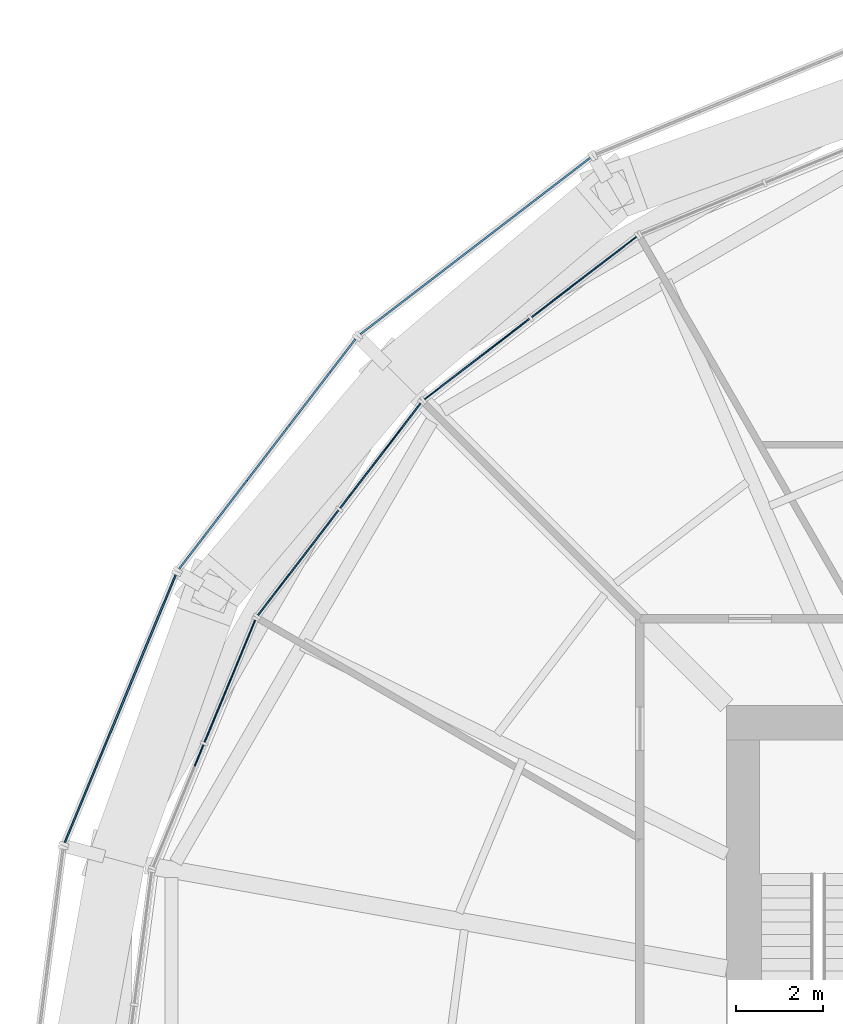
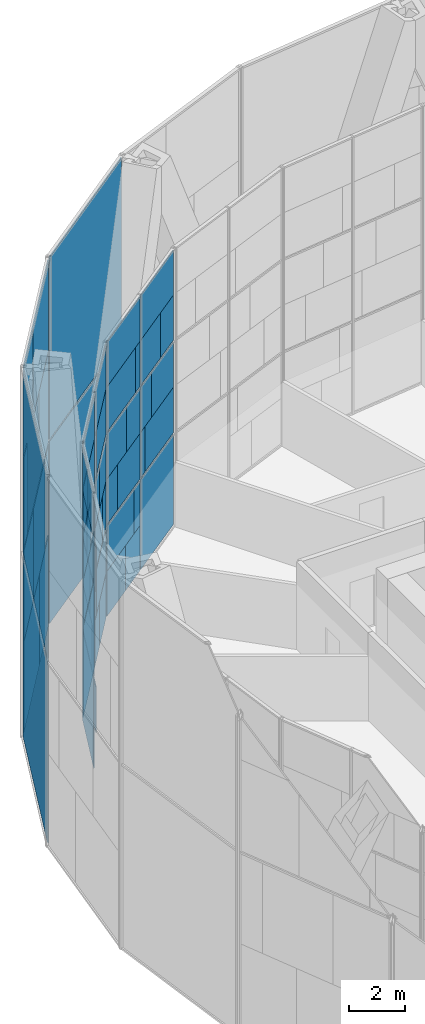
# One storey, part 19 of 26: 62 plates, 6 elements without a shape of their own.
"""IFC4 building model written with IfcOpenShell, lengths in metres."""

import ifcopenshell
import ifcopenshell.guid

model = None  # the IFC model being written
_history = None  # IfcOwnerHistory: only IFC2X3 demands one
_inside = {}  # id of a spatial element -> (the spatial element, [elements in it])
_under = {}  # id of a project, library or spatial element -> (it, [spatial elements below it])
_declared = {}  # id of a project -> (the project, [libraries it declares])
_typed = {}  # id of a type object -> (the type object, [elements of that type])
_made_of = {}  # id of a material, layer set ... -> (it, [elements and type objects made of it])


def new_model(schema):
    """Start an empty IFC model of exactly this schema.

    Asked for "IFC4X3", IfcOpenShell would pick the latest addendum, in which some entities
    have other attributes; the version numbers below select the first issue.
    IFC2X3 requires an IfcOwnerHistory on every rooted entity: one is made here for all.
    """
    global model, _history
    if schema == "IFC4X3":
        model = ifcopenshell.file(schema_version=(4, 3, 0, 0))
    else:
        model = ifcopenshell.file(schema=schema)
    _inside.clear()
    _under.clear()
    _declared.clear()
    _typed.clear()
    _made_of.clear()
    _history = None
    if model.schema == "IFC2X3":
        org = make("IfcOrganization", Name="unknown")
        user = make(
            "IfcPersonAndOrganization",
            ThePerson=make("IfcPerson", FamilyName="unknown"),
            TheOrganization=org,
        )
        app = make(
            "IfcApplication",
            ApplicationDeveloper=org,
            Version="unknown",
            ApplicationFullName="unknown",
            ApplicationIdentifier="unknown",
        )
        _history = make(
            "IfcOwnerHistory",
            OwningUser=user,
            OwningApplication=app,
            ChangeAction="ADDED",
            CreationDate=0,
        )
    return model


def make(cls, **values):
    """One entity of the class cls with the attributes given. An attribute that is None is left unset."""
    return model.create_entity(
        cls, **{name: value for name, value in values.items() if value is not None}
    )


def rooted(cls, **values):
    """An entity with a GlobalId (a new one), such as an element, a storey or a relation."""
    return make(cls, GlobalId=ifcopenshell.guid.new(), OwnerHistory=_history, **values)


def si_unit(unit_type, name, prefix=None):
    """IfcSIUnit, for example si_unit("LENGTHUNIT", "METRE", prefix="MILLI")."""
    return make("IfcSIUnit", UnitType=unit_type, Prefix=prefix, Name=name)


def assignment(units):
    """IfcUnitAssignment: the units of a project."""
    return None if units is None else make("IfcUnitAssignment", Units=units)


def point(xyz):
    """IfcCartesianPoint."""
    return None if xyz is None else make("IfcCartesianPoint", Coordinates=xyz)


def direction(xyz):
    """IfcDirection."""
    return None if xyz is None else make("IfcDirection", DirectionRatios=xyz)


def frame(location, z_axis=None, x_axis=None):
    """IfcAxis2Placement3D, a coordinate frame: its origin and axes. An axis left out is left unset."""
    return make(
        "IfcAxis2Placement3D",
        Location=point(location),
        Axis=direction(z_axis),
        RefDirection=direction(x_axis),
    )


def frame_2d(location, x_axis=None):
    """IfcAxis2Placement2D, a coordinate frame in the plane: its origin and x axis."""
    return make(
        "IfcAxis2Placement2D", Location=point(location), RefDirection=direction(x_axis)
    )


def origin():
    """The frame at (0, 0, 0) with its axes left unset."""
    return frame((0.0, 0.0, 0.0))


def origin_2d():
    """The frame at (0, 0) in the plane with its x axis left unset."""
    return frame_2d((0.0, 0.0))


def place(relative_to, where):
    """IfcLocalPlacement: puts the frame where relative to a parent placement (None: the world)."""
    return make(
        "IfcLocalPlacement", PlacementRelTo=relative_to, RelativePlacement=where
    )


def context(
    kind, dimensions, precision=None, world=None, true_north=None, identifier=None
):
    """IfcGeometricRepresentationContext, for example the 3D "Model" context."""
    return make(
        "IfcGeometricRepresentationContext",
        ContextIdentifier=identifier,
        ContextType=kind,
        CoordinateSpaceDimension=dimensions,
        Precision=precision,
        WorldCoordinateSystem=world,
        TrueNorth=true_north,
    )


def subcontext(parent, identifier, kind, view, scale=None):
    """IfcGeometricRepresentationSubContext, for example "Body" below "Model"."""
    return make(
        "IfcGeometricRepresentationSubContext",
        ContextIdentifier=identifier,
        ContextType=kind,
        ParentContext=parent,
        TargetScale=scale,
        TargetView=view,
    )


def project(units=None, contexts=None):
    """IfcProject with its units and contexts."""
    return rooted(
        "IfcProject",
        Name="project",
        RepresentationContexts=contexts,
        UnitsInContext=assignment(units),
    )


def spatial(cls, under=None, at=None, **own):
    """A site, building, storey or space (cls), placed at a placement, below another one or the project."""
    s = rooted(cls, ObjectPlacement=at, **own)
    if under is not None:
        _under.setdefault(under.id(), (under, []))[1].append(s)
    return s


def profile(cls, at=None, kind="AREA", **sizes):
    """A parametric profile (cls). Its sizes go by their IFC names, for example OverallWidth=200.0."""
    return make(cls, ProfileType=kind, Position=at, **sizes)


def rectangle(**sizes):
    """IfcRectangleProfileDef."""
    return profile("IfcRectangleProfileDef", **sizes)


def extrude(swept, where, along, depth):
    """IfcExtrudedAreaSolid: the profile swept, set in the frame where, extruded along a direction by depth."""
    return make(
        "IfcExtrudedAreaSolid",
        SweptArea=swept,
        Position=where,
        ExtrudedDirection=direction(along),
        Depth=depth,
    )


def shape(context_of_items, identifier, shape_type, items):
    """IfcShapeRepresentation: the items that make up one representation, for example the "Body"."""
    return make(
        "IfcShapeRepresentation",
        ContextOfItems=context_of_items,
        RepresentationIdentifier=identifier,
        RepresentationType=shape_type,
        Items=items,
    )


def material(Name=None, Category=None):
    """IfcMaterial."""
    return make("IfcMaterial", Name=Name, Category=Category)


def layer(
    of_material, thickness, ventilated=None, Name=None, Category=None, Priority=None
):
    """IfcMaterialLayer: one layer of a wall or slab, of a material (None: an air gap)."""
    return make(
        "IfcMaterialLayer",
        Material=of_material,
        LayerThickness=thickness,
        IsVentilated=ventilated,
        Name=Name,
        Category=Category,
        Priority=Priority,
    )


def layer_set(layers, Name=None):
    """IfcMaterialLayerSet."""
    return make("IfcMaterialLayerSet", MaterialLayers=layers, LayerSetName=Name)


def made_of(thing, what):
    """Note that an element or type object is made of a material, layer set ...; save() writes the relation."""
    if what is not None:
        _made_of.setdefault(what.id(), (what, []))[1].append(thing)
    return thing


def type_object(cls, material=None, **own):
    """A type object (cls), such as IfcWallType, which elements share."""
    return made_of(rooted(cls, **own), material)


def element(
    cls,
    number,
    at=None,
    inside=None,
    cuts=None,
    type_object=None,
    material=None,
    context=None,
    identifier="Body",
    shape_type=None,
    held_by="IfcProductDefinitionShape",
    body=None,
    shapes=None,
    **own,
):
    """One element of the class cls, such as IfcWall. Its Tag is "e" and its number.

    at: its placement. inside: the storey or other place that contains it. cuts: it is an
    opening in that element (IfcRelVoidsElement). A single representation is given by context,
    identifier, shape_type and body (its items); several are given by shapes. held_by: the class
    of the entity that holds the representations. save() writes the other relations.
    """
    e = rooted(cls, Tag="e%d" % number, ObjectPlacement=at, **own)
    if body is not None:
        shapes = [shape(context, identifier, shape_type, body)]
    if shapes is not None:
        e.Representation = make(held_by, Representations=shapes)
    if inside is not None:
        _inside.setdefault(inside.id(), (inside, []))[1].append(e)
    if cuts is not None:
        rooted(
            "IfcRelVoidsElement", RelatingBuildingElement=cuts, RelatedOpeningElement=e
        )
    if type_object is not None:
        _typed.setdefault(type_object.id(), (type_object, []))[1].append(e)
    return made_of(e, material)


def aggregate(whole, parts):
    """IfcRelAggregates: a whole, such as a stair, and the parts it consists of."""
    return rooted("IfcRelAggregates", RelatingObject=whole, RelatedObjects=parts)


def save(model, path):
    """Write the relations noted so far, then the file.

    IfcRelAggregates (storeys below a building ...), IfcRelContainedInSpatialStructure (elements
    in a storey), IfcRelDefinesByType, IfcRelAssociatesMaterial and IfcRelDeclares: one each for
    every whole, place, type object, material and project.
    """
    for whole, parts in _under.values():
        aggregate(whole, parts)
    for where, things in _inside.values():
        rooted(
            "IfcRelContainedInSpatialStructure",
            RelatedElements=things,
            RelatingStructure=where,
        )
    for kind, things in _typed.values():
        rooted("IfcRelDefinesByType", RelatedObjects=things, RelatingType=kind)
    for what, things in _made_of.values():
        rooted("IfcRelAssociatesMaterial", RelatedObjects=things, RelatingMaterial=what)
    for by, libraries in _declared.values():
        rooted("IfcRelDeclares", RelatingContext=by, RelatedDefinitions=libraries)
    model.write(path)


model = new_model("IFC4")

# Units and contexts
model_context = context("Model", 3, precision=1e-05, world=origin(), true_north=direction((0.0, 1.0)))
body_context = subcontext(model_context, "Body", "Model", "MODEL_VIEW")
ifc_project = project(units=[si_unit("LENGTHUNIT", "METRE"), si_unit("AREAUNIT", "SQUARE_METRE"), si_unit("VOLUMEUNIT", "CUBIC_METRE"), si_unit("PLANEANGLEUNIT", "RADIAN"), si_unit("MASSUNIT", "GRAM", prefix="KILO")], contexts=[model_context])

# Site, building, storey
site_placement = place(None, origin())
site = spatial("IfcSite", under=ifc_project, at=site_placement, CompositionType="ELEMENT")
building_placement = place(site_placement, origin())
building = spatial("IfcBuilding", under=site, at=building_placement, Name="Golbaran Civic Tower", CompositionType="ELEMENT")
storey_placement = place(building_placement, frame((0.0, 0.0, 69.0)))
storey = spatial("IfcBuildingStorey", under=building, at=storey_placement, Name="L16", CompositionType="ELEMENT", Elevation=69.0)

# Curtain wall, plates
ifc_material_1 = material(Name="Aluminium and glass", Category="aluminium")
curtain_wall_type_1 = type_object("IfcCurtainWallType", Name="INNER SKIN CURTAIN WALL", PredefinedType="NOTDEFINED", material=ifc_material_1)
curtain_wall_1_placement = place(storey_placement, origin())
curtain_wall_1 = element("IfcCurtainWall", 1, at=curtain_wall_1_placement, inside=storey, type_object=curtain_wall_type_1, Name="Inner skin L16 facet 9 CW1", ObjectType="INNER SKIN", PredefinedType="USERDEFINED")
ifc_material_2 = material(Name="Clear insulating glass", Category="glass")
ifc_layer_1 = layer(ifc_material_2, 0.031982421875, Name="Clear insulating glass")
ifc_layer_set_1 = layer_set([ifc_layer_1], Name="Clear insulating glass")
plate_type_1 = type_object("IfcPlateType", Name="INNER SKIN CURTAIN WALL GLAZED PANEL", PredefinedType="CURTAIN_PANEL", material=ifc_layer_set_1)
plate_1_placement = place(storey_placement, frame((-13.28466796875, 19.864990234375, 0.06494140625), z_axis=(0.0, 0.0, 1.0), x_axis=(-0.793353340323, -0.608761428967, 0.0)))
plate_1 = element("IfcPlate", 2, at=plate_1_placement, type_object=plate_type_1, Name="CW1 panel 1.1", PredefinedType="CURTAIN_PANEL", context=body_context, shape_type="SweptSolid", body=[
    extrude(rectangle(XDim=3.0419921875, YDim=0.031982421875, at=origin_2d()), origin(), (0.0, 0.0, 1.0), 3.902587890625),
])
plate_2_placement = place(storey_placement, frame((-13.125732421875, 19.987060546875, 4.03271484375), z_axis=(0.0, 0.0, 1.0), x_axis=(-0.793353340323, -0.608761428967, 0.0)))
plate_2 = element("IfcPlate", 3, at=plate_2_placement, type_object=plate_type_1, Name="CW1 panel 1.2 part 1", PredefinedType="CURTAIN_PANEL", context=body_context, shape_type="SweptSolid", body=[
    extrude(rectangle(XDim=2.64111328125, YDim=0.031982421875, at=origin_2d()), origin(), (0.0, 0.0, 1.0), 1.967529296875),
])
plate_3_placement = place(storey_placement, frame((-12.87255859375, 20.18115234375, 6.0), z_axis=(0.0, 0.0, 1.0), x_axis=(-0.793353340323, -0.608761428967, 0.0)))
plate_3 = element("IfcPlate", 4, at=plate_3_placement, type_object=plate_type_1, Name="CW1 panel 1.2 part 3", PredefinedType="CURTAIN_PANEL", context=body_context, shape_type="SweptSolid", body=[
    extrude(rectangle(XDim=2.0029296875, YDim=0.031982421875, at=origin_2d()), origin(), (0.0, 0.0, 1.0), 1.967529296875),
])
plate_4_placement = place(storey_placement, frame((-12.545654296875, 20.43212890625, 8.032470703125), z_axis=(0.0, 0.0, 1.0), x_axis=(-0.793353340323, -0.608761428967, 0.0)))
plate_4 = element("IfcPlate", 5, at=plate_4_placement, type_object=plate_type_1, Name="CW1 panel 1.3 part 1", PredefinedType="CURTAIN_PANEL", context=body_context, shape_type="SweptSolid", body=[
    extrude(rectangle(XDim=1.178955078125, YDim=0.031982421875, at=origin_2d()), origin(), (0.0, 0.0, 1.0), 1.951171875),
])
plate_5_placement = place(storey_placement, frame((-15.0703125, 18.494873046875, 0.06494140625), z_axis=(0.0, 0.0, 1.0), x_axis=(-0.793353340323, -0.608761428967, 0.0)))
plate_5 = element("IfcPlate", 6, at=plate_5_placement, type_object=plate_type_1, Name="CW1 panel 2.1 part 1", PredefinedType="CURTAIN_PANEL", context=body_context, shape_type="SweptSolid", body=[
    extrude(rectangle(XDim=1.3291015625, YDim=0.031982421875, at=origin_2d()), origin(), (0.0, 0.0, 1.0), 1.951171875),
])
plate_6_placement = place(storey_placement, frame((-14.753662109375, 18.73779296875, 2.016357421875), z_axis=(0.0, 0.0, 1.0), x_axis=(-0.793353340323, -0.608761428967, 0.0)))
plate_6 = element("IfcPlate", 7, at=plate_6_placement, type_object=plate_type_1, Name="CW1 panel 2.1 part 3", PredefinedType="CURTAIN_PANEL", context=body_context, shape_type="SweptSolid", body=[
    extrude(rectangle(XDim=0.531005859375, YDim=0.031982421875, at=origin_2d()), origin(), (0.0, 0.0, 1.0), 1.951171875),
])
plate_7_placement = place(storey_placement, frame((-16.56298828125, 17.349609375, 4.03271484375), z_axis=(0.0, 0.0, 1.0), x_axis=(-0.793353340323, -0.608761428967, 0.0)))
plate_7 = element("IfcPlate", 8, at=plate_7_placement, type_object=plate_type_1, Name="CW1 panel 2.2 part 2", PredefinedType="CURTAIN_PANEL", context=body_context, shape_type="SweptSolid", body=[
    extrude(rectangle(XDim=0.991943359375, YDim=0.031982421875, at=origin_2d()), origin(), (0.0, 0.0, 1.0), 1.967529296875),
])
plate_8_placement = place(storey_placement, frame((-16.2431640625, 17.594970703125, 6.0), z_axis=(0.0, 0.0, 1.0), x_axis=(-0.793353340323, -0.608761428967, 0.0)))
plate_8 = element("IfcPlate", 9, at=plate_8_placement, type_object=plate_type_1, Name="CW1 panel 2.2 part 4", PredefinedType="CURTAIN_PANEL", context=body_context, shape_type="SweptSolid", body=[
    extrude(rectangle(XDim=1.798095703125, YDim=0.031982421875, at=origin_2d()), origin(), (0.0, 0.0, 1.0), 1.967529296875),
])
plate_9_placement = place(storey_placement, frame((-15.912841796875, 17.848388671875, 8.032470703125), z_axis=(0.0, 0.0, 1.0), x_axis=(-0.793353340323, -0.608761428967, 0.0)))
plate_9 = element("IfcPlate", 10, at=plate_9_placement, type_object=plate_type_1, Name="CW1 panel 2.3 part 2", PredefinedType="CURTAIN_PANEL", context=body_context, shape_type="SweptSolid", body=[
    extrude(rectangle(XDim=2.631103515625, YDim=0.031982421875, at=origin_2d()), origin(), (0.0, 0.0, 1.0), 1.951171875),
])
plate_10_placement = place(storey_placement, frame((-15.749755859375, 17.9736328125, 9.98388671875), z_axis=(0.0, 0.0, 1.0), x_axis=(-0.793353340323, -0.608761428967, 0.0)))
plate_10 = element("IfcPlate", 11, at=plate_10_placement, type_object=plate_type_1, Name="CW1 panel 2.3 part 3", PredefinedType="CURTAIN_PANEL", context=body_context, shape_type="SweptSolid", body=[
    extrude(rectangle(XDim=3.0419921875, YDim=0.031982421875, at=origin_2d()), origin(), (0.0, 0.0, 1.0), 1.951171875),
])

curtain_wall_2_placement = place(storey_placement, origin())
curtain_wall_2 = element("IfcCurtainWall", 12, at=curtain_wall_2_placement, inside=storey, type_object=curtain_wall_type_1, Name="Inner skin L16 facet 10 CW1", ObjectType="INNER SKIN", PredefinedType="USERDEFINED")
plate_11_placement = place(storey_placement, frame((-18.494873046875, 15.0703125, 0.06494140625), z_axis=(0.0, 0.0, 1.0), x_axis=(-0.608761428967, -0.793353340323, 0.0)))
plate_11 = element("IfcPlate", 13, at=plate_11_placement, type_object=plate_type_1, Name="CW1 panel 1.1 part 2", PredefinedType="CURTAIN_PANEL", context=body_context, shape_type="SweptSolid", body=[
    extrude(rectangle(XDim=1.3291015625, YDim=0.031982421875, at=origin_2d()), origin(), (0.0, 0.0, 1.0), 1.951171875),
])
plate_12_placement = place(storey_placement, frame((-18.73779296875, 14.753662109375, 2.016357421875), z_axis=(0.0, 0.0, 1.0), x_axis=(-0.608761428967, -0.793353340323, 0.0)))
plate_12 = element("IfcPlate", 14, at=plate_12_placement, type_object=plate_type_1, Name="CW1 panel 1.1 part 4", PredefinedType="CURTAIN_PANEL", context=body_context, shape_type="SweptSolid", body=[
    extrude(rectangle(XDim=0.531005859375, YDim=0.031982421875, at=origin_2d()), origin(), (0.0, 0.0, 1.0), 1.951171875),
])
plate_13_placement = place(storey_placement, frame((-17.349609375, 16.56298828125, 4.03271484375), z_axis=(0.0, 0.0, 1.0), x_axis=(-0.608761428967, -0.793353340323, 0.0)))
plate_13 = element("IfcPlate", 15, at=plate_13_placement, type_object=plate_type_1, Name="CW1 panel 1.2 part 1", PredefinedType="CURTAIN_PANEL", context=body_context, shape_type="SweptSolid", body=[
    extrude(rectangle(XDim=0.991943359375, YDim=0.031982421875, at=origin_2d()), origin(), (0.0, 0.0, 1.0), 1.967529296875),
])
plate_14_placement = place(storey_placement, frame((-17.59521484375, 16.242919921875, 6.0), z_axis=(0.0, 0.0, 1.0), x_axis=(-0.608761428967, -0.793353340323, 0.0)))
plate_14 = element("IfcPlate", 16, at=plate_14_placement, type_object=plate_type_1, Name="CW1 panel 1.2 part 3", PredefinedType="CURTAIN_PANEL", context=body_context, shape_type="SweptSolid", body=[
    extrude(rectangle(XDim=1.799072265625, YDim=0.031982421875, at=origin_2d()), origin(), (0.0, 0.0, 1.0), 1.967529296875),
])
plate_15_placement = place(storey_placement, frame((-17.848388671875, 15.912841796875, 8.032470703125), z_axis=(0.0, 0.0, 1.0), x_axis=(-0.608761428967, -0.793353340323, 0.0)))
plate_15 = element("IfcPlate", 17, at=plate_15_placement, type_object=plate_type_1, Name="CW1 panel 1.3 part 1", PredefinedType="CURTAIN_PANEL", context=body_context, shape_type="SweptSolid", body=[
    extrude(rectangle(XDim=2.631103515625, YDim=0.031982421875, at=origin_2d()), origin(), (0.0, 0.0, 1.0), 1.951171875),
])
plate_16_placement = place(storey_placement, frame((-17.9736328125, 15.749755859375, 9.98388671875), z_axis=(0.0, 0.0, 1.0), x_axis=(-0.608761428967, -0.793353340323, 0.0)))
plate_16 = element("IfcPlate", 18, at=plate_16_placement, type_object=plate_type_1, Name="CW1 panel 1.3 part 3", PredefinedType="CURTAIN_PANEL", context=body_context, shape_type="SweptSolid", body=[
    extrude(rectangle(XDim=3.0419921875, YDim=0.031982421875, at=origin_2d()), origin(), (0.0, 0.0, 1.0), 1.951171875),
])
plate_17_placement = place(storey_placement, frame((-19.864990234375, 13.28466796875, 0.06494140625), z_axis=(0.0, 0.0, 1.0), x_axis=(-0.608761428967, -0.793353340323, 0.0)))
plate_17 = element("IfcPlate", 19, at=plate_17_placement, type_object=plate_type_1, Name="CW1 panel 2.1", PredefinedType="CURTAIN_PANEL", context=body_context, shape_type="SweptSolid", body=[
    extrude(rectangle(XDim=3.0419921875, YDim=0.031982421875, at=origin_2d()), origin(), (0.0, 0.0, 1.0), 3.902587890625),
])
plate_18_placement = place(storey_placement, frame((-19.987060546875, 13.125732421875, 4.03271484375), z_axis=(0.0, 0.0, 1.0), x_axis=(-0.608761428967, -0.793353340323, 0.0)))
plate_18 = element("IfcPlate", 20, at=plate_18_placement, type_object=plate_type_1, Name="CW1 panel 2.2 part 2", PredefinedType="CURTAIN_PANEL", context=body_context, shape_type="SweptSolid", body=[
    extrude(rectangle(XDim=2.64111328125, YDim=0.031982421875, at=origin_2d()), origin(), (0.0, 0.0, 1.0), 1.967529296875),
])
plate_19_placement = place(storey_placement, frame((-20.18115234375, 12.87255859375, 6.0), z_axis=(0.0, 0.0, 1.0), x_axis=(-0.608761428967, -0.793353340323, 0.0)))
plate_19 = element("IfcPlate", 21, at=plate_19_placement, type_object=plate_type_1, Name="CW1 panel 2.2 part 4", PredefinedType="CURTAIN_PANEL", context=body_context, shape_type="SweptSolid", body=[
    extrude(rectangle(XDim=2.0029296875, YDim=0.031982421875, at=origin_2d()), origin(), (0.0, 0.0, 1.0), 1.967529296875),
])
plate_20_placement = place(storey_placement, frame((-20.43212890625, 12.545654296875, 8.032470703125), z_axis=(0.0, 0.0, 1.0), x_axis=(-0.608761428967, -0.793353340323, 0.0)))
plate_20 = element("IfcPlate", 22, at=plate_20_placement, type_object=plate_type_1, Name="CW1 panel 2.3 part 2", PredefinedType="CURTAIN_PANEL", context=body_context, shape_type="SweptSolid", body=[
    extrude(rectangle(XDim=1.178955078125, YDim=0.031982421875, at=origin_2d()), origin(), (0.0, 0.0, 1.0), 1.951171875),
])

curtain_wall_3_placement = place(storey_placement, origin())
curtain_wall_3 = element("IfcCurtainWall", 23, at=curtain_wall_3_placement, inside=storey, type_object=curtain_wall_type_1, Name="Inner skin L16 facet 11 CW1", ObjectType="INNER SKIN", PredefinedType="USERDEFINED")
plate_21_placement = place(storey_placement, frame((-21.4375, 10.561279296875, 0.06494140625), z_axis=(0.0, 0.0, 1.0), x_axis=(-0.382683432446, -0.923879532478, 0.0)))
plate_21 = element("IfcPlate", 24, at=plate_21_placement, type_object=plate_type_1, Name="CW1 panel 1.1", PredefinedType="CURTAIN_PANEL", context=body_context, shape_type="SweptSolid", body=[
    extrude(rectangle(XDim=3.0419921875, YDim=0.031982421875, at=origin_2d()), origin(), (0.0, 0.0, 1.0), 3.902587890625),
])
plate_22_placement = place(storey_placement, frame((-21.360595703125, 10.74658203125, 4.03271484375), z_axis=(0.0, 0.0, 1.0), x_axis=(-0.382683432446, -0.923879532478, 0.0)))
plate_22 = element("IfcPlate", 25, at=plate_22_placement, type_object=plate_type_1, Name="CW1 panel 1.2 part 1", PredefinedType="CURTAIN_PANEL", context=body_context, shape_type="SweptSolid", body=[
    extrude(rectangle(XDim=2.64111328125, YDim=0.031982421875, at=origin_2d()), origin(), (0.0, 0.0, 1.0), 1.967529296875),
])
plate_23_placement = place(storey_placement, frame((-21.238525390625, 11.041259765625, 6.0), z_axis=(0.0, 0.0, 1.0), x_axis=(-0.382683432446, -0.923879532478, 0.0)))
plate_23 = element("IfcPlate", 26, at=plate_23_placement, type_object=plate_type_1, Name="CW1 panel 1.2 part 3", PredefinedType="CURTAIN_PANEL", context=body_context, shape_type="SweptSolid", body=[
    extrude(rectangle(XDim=2.0029296875, YDim=0.031982421875, at=origin_2d()), origin(), (0.0, 0.0, 1.0), 1.967529296875),
])
plate_24_placement = place(storey_placement, frame((-21.0810546875, 11.421875, 8.032470703125), z_axis=(0.0, 0.0, 1.0), x_axis=(-0.382683432446, -0.923879532478, 0.0)))
plate_24 = element("IfcPlate", 27, at=plate_24_placement, type_object=plate_type_1, Name="CW1 panel 1.3 part 1", PredefinedType="CURTAIN_PANEL", context=body_context, shape_type="SweptSolid", body=[
    extrude(rectangle(XDim=1.178955078125, YDim=0.031982421875, at=origin_2d()), origin(), (0.0, 0.0, 1.0), 1.951171875),
])
plate_25_placement = place(storey_placement, frame((-22.14599609375, 8.8505859375, 2.016357421875), z_axis=(0.0, 0.0, 1.0), x_axis=(-0.382683432446, -0.923879532478, 0.0)))
plate_25 = element("IfcPlate", 28, at=plate_25_placement, type_object=plate_type_1, Name="CW1 panel 2.1 part 3", PredefinedType="CURTAIN_PANEL", context=body_context, shape_type="SweptSolid", body=[
    extrude(rectangle(XDim=0.531005859375, YDim=0.031982421875, at=origin_2d()), origin(), (0.0, 0.0, 1.0), 1.951171875),
])

# Plate
ifc_material_3 = material(Name="Aluminium faced opaque infill panel", Category="aluminium")
ifc_layer_2 = layer(ifc_material_3, 0.031982421875, Name="Aluminium faced opaque infill panel")
ifc_layer_set_2 = layer_set([ifc_layer_2], Name="Aluminium faced opaque infill panel")
plate_type_2 = type_object("IfcPlateType", Name="INNER SKIN CURTAIN WALL OPAQUE INFILL PANEL", PredefinedType="CURTAIN_PANEL", material=ifc_layer_set_2)
plate_26_placement = place(storey_placement, frame((-14.33251953125, 19.06103515625, 4.03271484375), z_axis=(0.0, 0.0, 1.0), x_axis=(-0.793353340323, -0.608761428967, 0.0)))
plate_26 = element("IfcPlate", 29, at=plate_26_placement, type_object=plate_type_2, Name="CW1 infill panel 1.2 part 2", PredefinedType="CURTAIN_PANEL", context=body_context, shape_type="SweptSolid", body=[
    extrude(rectangle(XDim=0.401123046875, YDim=0.031982421875, at=origin_2d()), origin(), (0.0, 0.0, 1.0), 1.967529296875),
])

plate_27_placement = place(storey_placement, frame((-14.079345703125, 19.25537109375, 6.0), z_axis=(0.0, 0.0, 1.0), x_axis=(-0.793353340323, -0.608761428967, 0.0)))
plate_27 = element("IfcPlate", 30, at=plate_27_placement, type_object=plate_type_2, Name="CW1 infill panel 1.2 part 4", PredefinedType="CURTAIN_PANEL", context=body_context, shape_type="SweptSolid", body=[
    extrude(rectangle(XDim=1.0390625, YDim=0.031982421875, at=origin_2d()), origin(), (0.0, 0.0, 1.0), 1.967529296875),
])

plate_28_placement = place(storey_placement, frame((-13.75244140625, 19.506103515625, 8.032470703125), z_axis=(0.0, 0.0, 1.0), x_axis=(-0.793353340323, -0.608761428967, 0.0)))
plate_28 = element("IfcPlate", 31, at=plate_28_placement, type_object=plate_type_2, Name="CW1 infill panel 1.3 part 2", PredefinedType="CURTAIN_PANEL", context=body_context, shape_type="SweptSolid", body=[
    extrude(rectangle(XDim=1.863037109375, YDim=0.031982421875, at=origin_2d()), origin(), (0.0, 0.0, 1.0), 1.951171875),
])

plate_29_placement = place(storey_placement, frame((-13.28466796875, 19.864990234375, 9.98388671875), z_axis=(0.0, 0.0, 1.0), x_axis=(-0.793353340323, -0.608761428967, 0.0)))
plate_29 = element("IfcPlate", 32, at=plate_29_placement, type_object=plate_type_2, Name="CW1 infill panel 1.3 part 3", PredefinedType="CURTAIN_PANEL", context=body_context, shape_type="SweptSolid", body=[
    extrude(rectangle(XDim=3.0419921875, YDim=0.031982421875, at=origin_2d()), origin(), (0.0, 0.0, 1.0), 1.951171875),
])

plate_30_placement = place(storey_placement, frame((-16.27685546875, 17.569091796875, 0.06494140625), z_axis=(0.0, 0.0, 1.0), x_axis=(-0.793353340323, -0.608761428967, 0.0)))
plate_30 = element("IfcPlate", 33, at=plate_30_placement, type_object=plate_type_2, Name="CW1 infill panel 2.1 part 2", PredefinedType="CURTAIN_PANEL", context=body_context, shape_type="SweptSolid", body=[
    extrude(rectangle(XDim=1.713134765625, YDim=0.031982421875, at=origin_2d()), origin(), (0.0, 0.0, 1.0), 1.951171875),
])

plate_31_placement = place(storey_placement, frame((-15.96044921875, 17.81201171875, 2.016357421875), z_axis=(0.0, 0.0, 1.0), x_axis=(-0.793353340323, -0.608761428967, 0.0)))
plate_31 = element("IfcPlate", 34, at=plate_31_placement, type_object=plate_type_2, Name="CW1 infill panel 2.1 part 4", PredefinedType="CURTAIN_PANEL", context=body_context, shape_type="SweptSolid", body=[
    extrude(rectangle(XDim=2.510986328125, YDim=0.031982421875, at=origin_2d()), origin(), (0.0, 0.0, 1.0), 1.951171875),
])

plate_32_placement = place(storey_placement, frame((-15.356201171875, 18.275390625, 4.03271484375), z_axis=(0.0, 0.0, 1.0), x_axis=(-0.793353340323, -0.608761428967, 0.0)))
plate_32 = element("IfcPlate", 35, at=plate_32_placement, type_object=plate_type_2, Name="CW1 infill panel 2.2 part 1", PredefinedType="CURTAIN_PANEL", context=body_context, shape_type="SweptSolid", body=[
    extrude(rectangle(XDim=2.050048828125, YDim=0.031982421875, at=origin_2d()), origin(), (0.0, 0.0, 1.0), 1.967529296875),
])

plate_33_placement = place(storey_placement, frame((-15.03662109375, 18.520751953125, 6.0), z_axis=(0.0, 0.0, 1.0), x_axis=(-0.793353340323, -0.608761428967, 0.0)))
plate_33 = element("IfcPlate", 36, at=plate_33_placement, type_object=plate_type_2, Name="CW1 infill panel 2.2 part 3", PredefinedType="CURTAIN_PANEL", context=body_context, shape_type="SweptSolid", body=[
    extrude(rectangle(XDim=1.243896484375, YDim=0.031982421875, at=origin_2d()), origin(), (0.0, 0.0, 1.0), 1.967529296875),
])

plate_34_placement = place(storey_placement, frame((-14.7060546875, 18.7744140625, 8.032470703125), z_axis=(0.0, 0.0, 1.0), x_axis=(-0.793353340323, -0.608761428967, 0.0)))
plate_34 = element("IfcPlate", 37, at=plate_34_placement, type_object=plate_type_2, Name="CW1 infill panel 2.3 part 1", PredefinedType="CURTAIN_PANEL", context=body_context, shape_type="SweptSolid", body=[
    extrude(rectangle(XDim=0.410888671875, YDim=0.031982421875, at=origin_2d()), origin(), (0.0, 0.0, 1.0), 1.951171875),
])

aggregate(curtain_wall_1, [plate_1, plate_2, plate_26, plate_3, plate_27, plate_4, plate_28, plate_29, plate_5, plate_30, plate_6, plate_31, plate_32, plate_7, plate_33, plate_8, plate_34, plate_9, plate_10])

plate_35_placement = place(storey_placement, frame((-17.569091796875, 16.27685546875, 0.06494140625), z_axis=(0.0, 0.0, 1.0), x_axis=(-0.608761428967, -0.793353340323, 0.0)))
plate_35 = element("IfcPlate", 38, at=plate_35_placement, type_object=plate_type_2, Name="CW1 infill panel 1.1 part 1", PredefinedType="CURTAIN_PANEL", context=body_context, shape_type="SweptSolid", body=[
    extrude(rectangle(XDim=1.712890625, YDim=0.031982421875, at=origin_2d()), origin(), (0.0, 0.0, 1.0), 1.951171875),
])

plate_36_placement = place(storey_placement, frame((-17.81201171875, 15.96044921875, 2.016357421875), z_axis=(0.0, 0.0, 1.0), x_axis=(-0.608761428967, -0.793353340323, 0.0)))
plate_36 = element("IfcPlate", 39, at=plate_36_placement, type_object=plate_type_2, Name="CW1 infill panel 1.1 part 3", PredefinedType="CURTAIN_PANEL", context=body_context, shape_type="SweptSolid", body=[
    extrude(rectangle(XDim=2.510986328125, YDim=0.031982421875, at=origin_2d()), origin(), (0.0, 0.0, 1.0), 1.951171875),
])

plate_37_placement = place(storey_placement, frame((-18.275390625, 15.356201171875, 4.03271484375), z_axis=(0.0, 0.0, 1.0), x_axis=(-0.608761428967, -0.793353340323, 0.0)))
plate_37 = element("IfcPlate", 40, at=plate_37_placement, type_object=plate_type_2, Name="CW1 infill panel 1.2 part 2", PredefinedType="CURTAIN_PANEL", context=body_context, shape_type="SweptSolid", body=[
    extrude(rectangle(XDim=2.050048828125, YDim=0.031982421875, at=origin_2d()), origin(), (0.0, 0.0, 1.0), 1.967529296875),
])

plate_38_placement = place(storey_placement, frame((-18.521240234375, 15.0361328125, 6.0), z_axis=(0.0, 0.0, 1.0), x_axis=(-0.608761428967, -0.793353340323, 0.0)))
plate_38 = element("IfcPlate", 41, at=plate_38_placement, type_object=plate_type_2, Name="CW1 infill panel 1.2 part 4", PredefinedType="CURTAIN_PANEL", context=body_context, shape_type="SweptSolid", body=[
    extrude(rectangle(XDim=1.2431640625, YDim=0.031982421875, at=origin_2d()), origin(), (0.0, 0.0, 1.0), 1.967529296875),
])

plate_39_placement = place(storey_placement, frame((-18.7744140625, 14.7060546875, 8.032470703125), z_axis=(0.0, 0.0, 1.0), x_axis=(-0.608761428967, -0.793353340323, 0.0)))
plate_39 = element("IfcPlate", 42, at=plate_39_placement, type_object=plate_type_2, Name="CW1 infill panel 1.3 part 2", PredefinedType="CURTAIN_PANEL", context=body_context, shape_type="SweptSolid", body=[
    extrude(rectangle(XDim=0.4111328125, YDim=0.031982421875, at=origin_2d()), origin(), (0.0, 0.0, 1.0), 1.951171875),
])

plate_40_placement = place(storey_placement, frame((-19.06103515625, 14.33251953125, 4.03271484375), z_axis=(0.0, 0.0, 1.0), x_axis=(-0.608761428967, -0.793353340323, 0.0)))
plate_40 = element("IfcPlate", 43, at=plate_40_placement, type_object=plate_type_2, Name="CW1 infill panel 2.2 part 1", PredefinedType="CURTAIN_PANEL", context=body_context, shape_type="SweptSolid", body=[
    extrude(rectangle(XDim=0.40087890625, YDim=0.031982421875, at=origin_2d()), origin(), (0.0, 0.0, 1.0), 1.967529296875),
])

plate_41_placement = place(storey_placement, frame((-19.25537109375, 14.079345703125, 6.0), z_axis=(0.0, 0.0, 1.0), x_axis=(-0.608761428967, -0.793353340323, 0.0)))
plate_41 = element("IfcPlate", 44, at=plate_41_placement, type_object=plate_type_2, Name="CW1 infill panel 2.2 part 3", PredefinedType="CURTAIN_PANEL", context=body_context, shape_type="SweptSolid", body=[
    extrude(rectangle(XDim=1.0390625, YDim=0.031982421875, at=origin_2d()), origin(), (0.0, 0.0, 1.0), 1.967529296875),
])

plate_42_placement = place(storey_placement, frame((-19.506103515625, 13.75244140625, 8.032470703125), z_axis=(0.0, 0.0, 1.0), x_axis=(-0.608761428967, -0.793353340323, 0.0)))
plate_42 = element("IfcPlate", 45, at=plate_42_placement, type_object=plate_type_2, Name="CW1 infill panel 2.3 part 1", PredefinedType="CURTAIN_PANEL", context=body_context, shape_type="SweptSolid", body=[
    extrude(rectangle(XDim=1.863037109375, YDim=0.031982421875, at=origin_2d()), origin(), (0.0, 0.0, 1.0), 1.951171875),
])

plate_43_placement = place(storey_placement, frame((-19.864990234375, 13.28466796875, 9.98388671875), z_axis=(0.0, 0.0, 1.0), x_axis=(-0.608761428967, -0.793353340323, 0.0)))
plate_43 = element("IfcPlate", 46, at=plate_43_placement, type_object=plate_type_2, Name="CW1 infill panel 2.3 part 3", PredefinedType="CURTAIN_PANEL", context=body_context, shape_type="SweptSolid", body=[
    extrude(rectangle(XDim=3.0419921875, YDim=0.031982421875, at=origin_2d()), origin(), (0.0, 0.0, 1.0), 1.951171875),
])

aggregate(curtain_wall_2, [plate_35, plate_11, plate_36, plate_12, plate_13, plate_37, plate_14, plate_38, plate_15, plate_39, plate_16, plate_17, plate_40, plate_18, plate_41, plate_19, plate_42, plate_20, plate_43])

plate_44_placement = place(storey_placement, frame((-21.94287109375, 9.34130859375, 4.03271484375), z_axis=(0.0, 0.0, 1.0), x_axis=(-0.382683432446, -0.923879532478, 0.0)))
plate_44 = element("IfcPlate", 47, at=plate_44_placement, type_object=plate_type_2, Name="CW1 infill panel 1.2 part 2", PredefinedType="CURTAIN_PANEL", context=body_context, shape_type="SweptSolid", body=[
    extrude(rectangle(XDim=0.401123046875, YDim=0.031982421875, at=origin_2d()), origin(), (0.0, 0.0, 1.0), 1.967529296875),
])

plate_45_placement = place(storey_placement, frame((-21.82080078125, 9.635986328125, 6.0), z_axis=(0.0, 0.0, 1.0), x_axis=(-0.382683432446, -0.923879532478, 0.0)))
plate_45 = element("IfcPlate", 48, at=plate_45_placement, type_object=plate_type_2, Name="CW1 infill panel 1.2 part 4", PredefinedType="CURTAIN_PANEL", context=body_context, shape_type="SweptSolid", body=[
    extrude(rectangle(XDim=1.0390625, YDim=0.031982421875, at=origin_2d()), origin(), (0.0, 0.0, 1.0), 1.967529296875),
])

plate_46_placement = place(storey_placement, frame((-21.6630859375, 10.0166015625, 8.032470703125), z_axis=(0.0, 0.0, 1.0), x_axis=(-0.382683432446, -0.923879532478, 0.0)))
plate_46 = element("IfcPlate", 49, at=plate_46_placement, type_object=plate_type_2, Name="CW1 infill panel 1.3 part 2", PredefinedType="CURTAIN_PANEL", context=body_context, shape_type="SweptSolid", body=[
    extrude(rectangle(XDim=1.863037109375, YDim=0.031982421875, at=origin_2d()), origin(), (0.0, 0.0, 1.0), 1.951171875),
])

plate_47_placement = place(storey_placement, frame((-21.4375, 10.561279296875, 9.98388671875), z_axis=(0.0, 0.0, 1.0), x_axis=(-0.382683432446, -0.923879532478, 0.0)))
plate_47 = element("IfcPlate", 50, at=plate_47_placement, type_object=plate_type_2, Name="CW1 infill panel 1.3 part 3", PredefinedType="CURTAIN_PANEL", context=body_context, shape_type="SweptSolid", body=[
    extrude(rectangle(XDim=3.0419921875, YDim=0.031982421875, at=origin_2d()), origin(), (0.0, 0.0, 1.0), 1.951171875),
])

plate_48_placement = place(storey_placement, frame((-22.123046875, 8.906005859375, 8.032470703125), z_axis=(0.0, 0.0, 1.0), x_axis=(-0.382683432446, -0.923879532478, 0.0)))
plate_48 = element("IfcPlate", 51, at=plate_48_placement, type_object=plate_type_2, Name="CW1 infill panel 2.3 part 1", PredefinedType="CURTAIN_PANEL", context=body_context, shape_type="SweptSolid", body=[
    extrude(rectangle(XDim=0.410888671875, YDim=0.031982421875, at=origin_2d()), origin(), (0.0, 0.0, 1.0), 1.951171875),
])

aggregate(curtain_wall_3, [plate_21, plate_22, plate_44, plate_23, plate_45, plate_24, plate_46, plate_47, plate_25, plate_48])

# Curtain wall, plates
curtain_wall_type_2 = type_object("IfcCurtainWallType", Name="OUTER SKIN TERRACOTTA SCREEN", PredefinedType="NOTDEFINED", material=ifc_material_1)
curtain_wall_4_placement = place(storey_placement, origin())
curtain_wall_4 = element("IfcCurtainWall", 52, at=curtain_wall_4_placement, inside=storey, type_object=curtain_wall_type_2, Name="Outer skin L16 facet 10 CW3", ObjectType="OUTER SKIN", PredefinedType="USERDEFINED")
ifc_material_4 = material(Name="Clear laminated glass", Category="glass")
ifc_layer_3 = layer(ifc_material_4, 0.0400390625, Name="Clear laminated glass")
ifc_layer_set_3 = layer_set([ifc_layer_3], Name="Clear laminated glass")
plate_type_3 = type_object("IfcPlateType", Name="OUTER SKIN CLEAR GLASS PANEL", PredefinedType="CURTAIN_PANEL", material=ifc_layer_set_3)
plate_49_placement = place(storey_placement, frame((-21.334716796875, 14.802734375, -0.6298828125), z_axis=(0.0, 0.0, 1.0), x_axis=(-0.608761428912, -0.793353340366, 0.0)))
plate_49 = element("IfcPlate", 53, at=plate_49_placement, type_object=plate_type_3, Name="CW3 panel 1.1 part 2", PredefinedType="CURTAIN_PANEL", context=body_context, shape_type="SweptSolid", body=[
    extrude(rectangle(XDim=4.181396484375, YDim=0.0400390625, at=origin_2d()), origin(), (0.0, 0.0, 1.0), 3.93994140625),
])
plate_50_placement = place(storey_placement, frame((-18.837890625, 18.056396484375, 3.31005859375), z_axis=(0.0, 0.0, 1.0), x_axis=(-0.608761428912, -0.793353340366, 0.0)))
plate_50 = element("IfcPlate", 54, at=plate_50_placement, type_object=plate_type_3, Name="CW3 panel 1.1 part 3", PredefinedType="CURTAIN_PANEL", context=body_context, shape_type="SweptSolid", body=[
    extrude(rectangle(XDim=0.955078125, YDim=0.0400390625, at=origin_2d()), origin(), (0.0, 0.0, 1.0), 3.93994140625),
])
plate_51_placement = place(storey_placement, frame((-21.825927734375, 14.162353515625, 3.31005859375), z_axis=(0.0, 0.0, 1.0), x_axis=(-0.608761428912, -0.793353340366, 0.0)))
plate_51 = element("IfcPlate", 55, at=plate_51_placement, type_object=plate_type_3, Name="CW3 panel 1.1 part 5", PredefinedType="CURTAIN_PANEL", context=body_context, shape_type="SweptSolid", body=[
    extrude(rectangle(XDim=2.5673828125, YDim=0.0400390625, at=origin_2d()), origin(), (0.0, 0.0, 1.0), 3.93994140625),
])
plate_52_placement = place(storey_placement, frame((-19.338134765625, 17.404541015625, 7.330078125), z_axis=(0.0, 0.0, 1.0), x_axis=(-0.608761428912, -0.793353340366, 0.0)))
plate_52 = element("IfcPlate", 56, at=plate_52_placement, type_object=plate_type_3, Name="CW3 panel 1.2 part 1", PredefinedType="CURTAIN_PANEL", context=body_context, shape_type="SweptSolid", body=[
    extrude(rectangle(XDim=2.597900390625, YDim=0.0400390625, at=origin_2d()), origin(), (0.0, 0.0, 1.0), 3.93994140625),
])
plate_53_placement = place(storey_placement, frame((-22.3271484375, 13.509033203125, 7.330078125), z_axis=(0.0, 0.0, 1.0), x_axis=(-0.608761428912, -0.793353340366, 0.0)))
plate_53 = element("IfcPlate", 57, at=plate_53_placement, type_object=plate_type_3, Name="CW3 panel 1.2 part 3", PredefinedType="CURTAIN_PANEL", context=body_context, shape_type="SweptSolid", body=[
    extrude(rectangle(XDim=0.92041015625, YDim=0.0400390625, at=origin_2d()), origin(), (0.0, 0.0, 1.0), 3.93994140625),
])
plate_54_placement = place(storey_placement, frame((-19.828369140625, 16.765625, 11.27001953125), z_axis=(0.0, 0.0, 1.0), x_axis=(-0.608761428912, -0.793353340366, 0.0)))
plate_54 = element("IfcPlate", 58, at=plate_54_placement, type_object=plate_type_3, Name="CW3 panel 1.2 part 4", PredefinedType="CURTAIN_PANEL", context=body_context, shape_type="SweptSolid", body=[
    extrude(rectangle(XDim=4.208984375, YDim=0.0400390625, at=origin_2d()), origin(), (0.0, 0.0, 1.0), 3.93994140625),
])
ifc_material_5 = material(Name="Terracotta baguette screen", Category="masonry")
ifc_layer_4 = layer(ifc_material_5, 0.0400390625, Name="Terracotta baguette screen")
ifc_layer_set_4 = layer_set([ifc_layer_4], Name="Terracotta baguette screen")
plate_type_4 = type_object("IfcPlateType", Name="OUTER SKIN TERRACOTTA INFILL PANEL", PredefinedType="CURTAIN_PANEL", material=ifc_layer_set_4)
plate_55_placement = place(storey_placement, frame((-19.3046875, 17.4482421875, -0.6298828125), z_axis=(0.0, 0.0, 1.0), x_axis=(-0.608761428912, -0.793353340366, 0.0)))
plate_55 = element("IfcPlate", 59, at=plate_55_placement, type_object=plate_type_4, Name="CW3 infill panel 1.1 part 1", PredefinedType="CURTAIN_PANEL", context=body_context, shape_type="SweptSolid", body=[
    extrude(rectangle(XDim=2.488037109375, YDim=0.0400390625, at=origin_2d()), origin(), (0.0, 0.0, 1.0), 3.93994140625),
])
plate_56_placement = place(storey_placement, frame((-20.086669921875, 16.42919921875, 3.31005859375), z_axis=(0.0, 0.0, 1.0), x_axis=(-0.608761428912, -0.793353340366, 0.0)))
plate_56 = element("IfcPlate", 60, at=plate_56_placement, type_object=plate_type_4, Name="CW3 infill panel 1.1 part 4", PredefinedType="CURTAIN_PANEL", context=body_context, shape_type="SweptSolid", body=[
    extrude(rectangle(XDim=3.14697265625, YDim=0.0400390625, at=origin_2d()), origin(), (0.0, 0.0, 1.0), 3.93994140625),
])
plate_57_placement = place(storey_placement, frame((-21.087890625, 15.1240234375, 7.330078125), z_axis=(0.0, 0.0, 1.0), x_axis=(-0.608761428912, -0.793353340366, 0.0)))
plate_57 = element("IfcPlate", 61, at=plate_57_placement, type_object=plate_type_4, Name="CW3 infill panel 1.2 part 2", PredefinedType="CURTAIN_PANEL", context=body_context, shape_type="SweptSolid", body=[
    extrude(rectangle(XDim=3.15087890625, YDim=0.0400390625, at=origin_2d()), origin(), (0.0, 0.0, 1.0), 3.93994140625),
])
plate_58_placement = place(storey_placement, frame((-21.8583984375, 14.119873046875, 11.27001953125), z_axis=(0.0, 0.0, 1.0), x_axis=(-0.608761428912, -0.793353340366, 0.0)))
plate_58 = element("IfcPlate", 62, at=plate_58_placement, type_object=plate_type_4, Name="CW3 infill panel 1.2 part 5", PredefinedType="CURTAIN_PANEL", context=body_context, shape_type="SweptSolid", body=[
    extrude(rectangle(XDim=2.46044921875, YDim=0.0400390625, at=origin_2d()), origin(), (0.0, 0.0, 1.0), 3.93994140625),
])
aggregate(curtain_wall_4, [plate_55, plate_49, plate_50, plate_56, plate_51, plate_52, plate_57, plate_53, plate_54, plate_58])

curtain_wall_5_placement = place(storey_placement, origin())
curtain_wall_5 = element("IfcCurtainWall", 63, at=curtain_wall_5_placement, inside=storey, type_object=curtain_wall_type_2, Name="Outer skin L16 facet 9 CW3", ObjectType="OUTER SKIN", PredefinedType="USERDEFINED")
ifc_layer_5 = layer(ifc_material_5, 0.0400390625, Name="Terracotta baguette screen")
ifc_layer_set_5 = layer_set([ifc_layer_5], Name="Terracotta baguette screen")
plate_type_5 = type_object("IfcPlateType", Name="OUTER SKIN TERRACOTTA SCREEN PANEL", PredefinedType="CURTAIN_PANEL", material=ifc_layer_set_5)
plate_59_placement = place(storey_placement, frame((-15.78955078125, 20.577392578125, -0.6298828125), z_axis=(0.0, 0.0, 1.0), x_axis=(-0.793353340366, -0.608761428912, 0.0)))
plate_59 = element("IfcPlate", 64, at=plate_59_placement, type_object=plate_type_5, Name="CW3 terracotta screen panel 1.1", PredefinedType="CURTAIN_PANEL", context=body_context, shape_type="SweptSolid", body=[
    extrude(rectangle(XDim=6.66943359375, YDim=0.0400390625, at=origin_2d()), origin(), (0.0, 0.0, 1.0), 7.8798828125),
])
plate_60_placement = place(storey_placement, frame((-15.78955078125, 20.577392578125, 7.330078125), z_axis=(0.0, 0.0, 1.0), x_axis=(-0.793353340366, -0.608761428912, 0.0)))
plate_60 = element("IfcPlate", 65, at=plate_60_placement, type_object=plate_type_5, Name="CW3 terracotta screen panel 1.2", PredefinedType="CURTAIN_PANEL", context=body_context, shape_type="SweptSolid", body=[
    extrude(rectangle(XDim=6.66943359375, YDim=0.0400390625, at=origin_2d()), origin(), (0.0, 0.0, 1.0), 7.8798828125),
])
aggregate(curtain_wall_5, [plate_59, plate_60])

curtain_wall_6_placement = place(storey_placement, origin())
curtain_wall_6 = element("IfcCurtainWall", 66, at=curtain_wall_6_placement, inside=storey, type_object=curtain_wall_type_2, Name="Outer skin L16 facet 11 CW3", ObjectType="OUTER SKIN", PredefinedType="USERDEFINED")
plate_61_placement = place(storey_placement, frame((-23.962890625, 9.92578125, -0.6298828125), z_axis=(0.0, 0.0, 1.0), x_axis=(-0.382683432478, -0.923879532465, 0.0)))
plate_61 = element("IfcPlate", 67, at=plate_61_placement, type_object=plate_type_5, Name="CW3 terracotta screen panel 1.1", PredefinedType="CURTAIN_PANEL", context=body_context, shape_type="SweptSolid", body=[
    extrude(rectangle(XDim=6.66943359375, YDim=0.0400390625, at=origin_2d()), origin(), (0.0, 0.0, 1.0), 7.8798828125),
])
plate_62_placement = place(storey_placement, frame((-23.962890625, 9.92578125, 7.330078125), z_axis=(0.0, 0.0, 1.0), x_axis=(-0.382683432478, -0.923879532465, 0.0)))
plate_62 = element("IfcPlate", 68, at=plate_62_placement, type_object=plate_type_5, Name="CW3 terracotta screen panel 1.2", PredefinedType="CURTAIN_PANEL", context=body_context, shape_type="SweptSolid", body=[
    extrude(rectangle(XDim=6.66943359375, YDim=0.0400390625, at=origin_2d()), origin(), (0.0, 0.0, 1.0), 7.8798828125),
])
aggregate(curtain_wall_6, [plate_61, plate_62])

save(model, "model.ifc")
